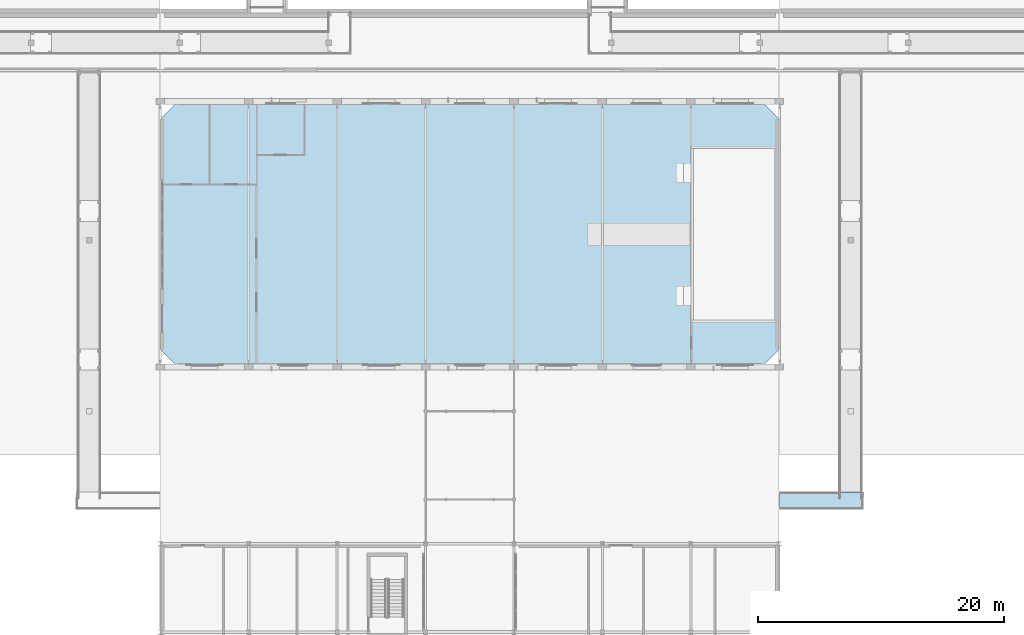
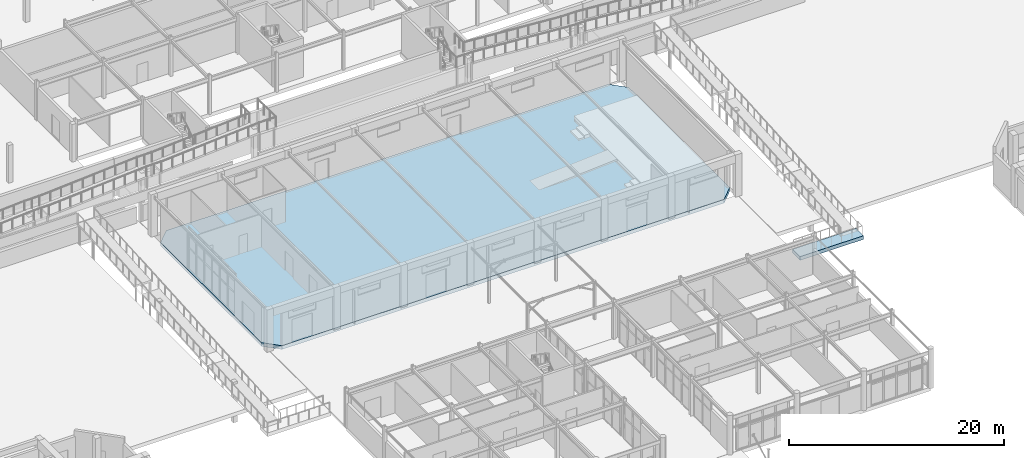
# One storey, part 38 of 85: 2 slabs.
"""IFC4 building model written with IfcOpenShell, lengths in metres."""

from ifc_helpers import new_model, si_unit, direction, frame, origin, place, context, subcontext, project, spatial, polyline, outline, extrude, material, layer, layer_set, type_object, element, save


model = new_model("IFC4")

# Units and contexts
model_context = context("Model", 3, precision=1e-05, world=origin(), true_north=direction((0.0, 1.0)))
body_context = subcontext(model_context, "Body", "Model", "MODEL_VIEW")
ifc_project = project(units=[si_unit("LENGTHUNIT", "METRE"), si_unit("AREAUNIT", "SQUARE_METRE"), si_unit("VOLUMEUNIT", "CUBIC_METRE"), si_unit("PLANEANGLEUNIT", "RADIAN"), si_unit("MASSUNIT", "GRAM", prefix="KILO")], contexts=[model_context])

# Site, building, storey
site_placement = place(None, origin())
site = spatial("IfcSite", under=ifc_project, at=site_placement, CompositionType="ELEMENT")
building_placement = place(site_placement, origin())
building = spatial("IfcBuilding", under=site, at=building_placement, Name="Ochrevale Crest", CompositionType="ELEMENT")
storey_placement = place(building_placement, origin())
storey = spatial("IfcBuildingStorey", under=building, at=storey_placement, Name="L00", CompositionType="ELEMENT", Elevation=0.0)

# Slabs
ifc_material = material(Name="Concrete C40/50", Category="concrete")
ifc_layer = layer(ifc_material, 0.4150390625)
ifc_layer_set = layer_set([ifc_layer], Name="Concrete C40/50")
slab_type = type_object("IfcSlabType", Name="SLB-HALL-300", PredefinedType="FLOOR", material=ifc_layer_set)
slab_1_placement = place(storey_placement, frame((0.0, 0.0, -0.4150390625)))
element("IfcSlab", 1, at=slab_1_placement, inside=storey, type_object=slab_type, Name="East hillside Step 1 to Step 2 accessible ramp lower threshold slab", PredefinedType="FLOOR", context=body_context, shape_type="SweptSolid", body=[
    extrude(outline(polyline([(108.02490234375, 31.60009765625), (114.85009765625, 31.60009765625), (114.85009765625, 33.0), (108.02490234375, 33.0), (108.02490234375, 31.60009765625)])), origin(), (0.0, 0.0, 1.0), 0.4150390625),
])
slab_2_placement = place(storey_placement, frame((0.0, 0.0, -0.419921875)))
element("IfcSlab", 2, at=slab_2_placement, inside=storey, type_object=slab_type, Name="Community Hall Pavilion ground floor slab", PredefinedType="FLOOR", context=body_context, shape_type="SweptSolid", body=[
    extrude(outline(polyline([(59.02490234375, 43.199951171875), (106.574951171875, 43.199951171875), (107.97509765625, 44.60009765625), (107.97509765625, 63.39990234375), (106.574951171875, 64.800048828125), (59.02490234375, 64.800048828125), (57.625, 63.39990234375), (57.625, 44.60009765625), (59.02490234375, 43.199951171875)])), origin(), (0.0, 0.0, 1.0), 0.419921875),
])

save(model, "model.ifc")
